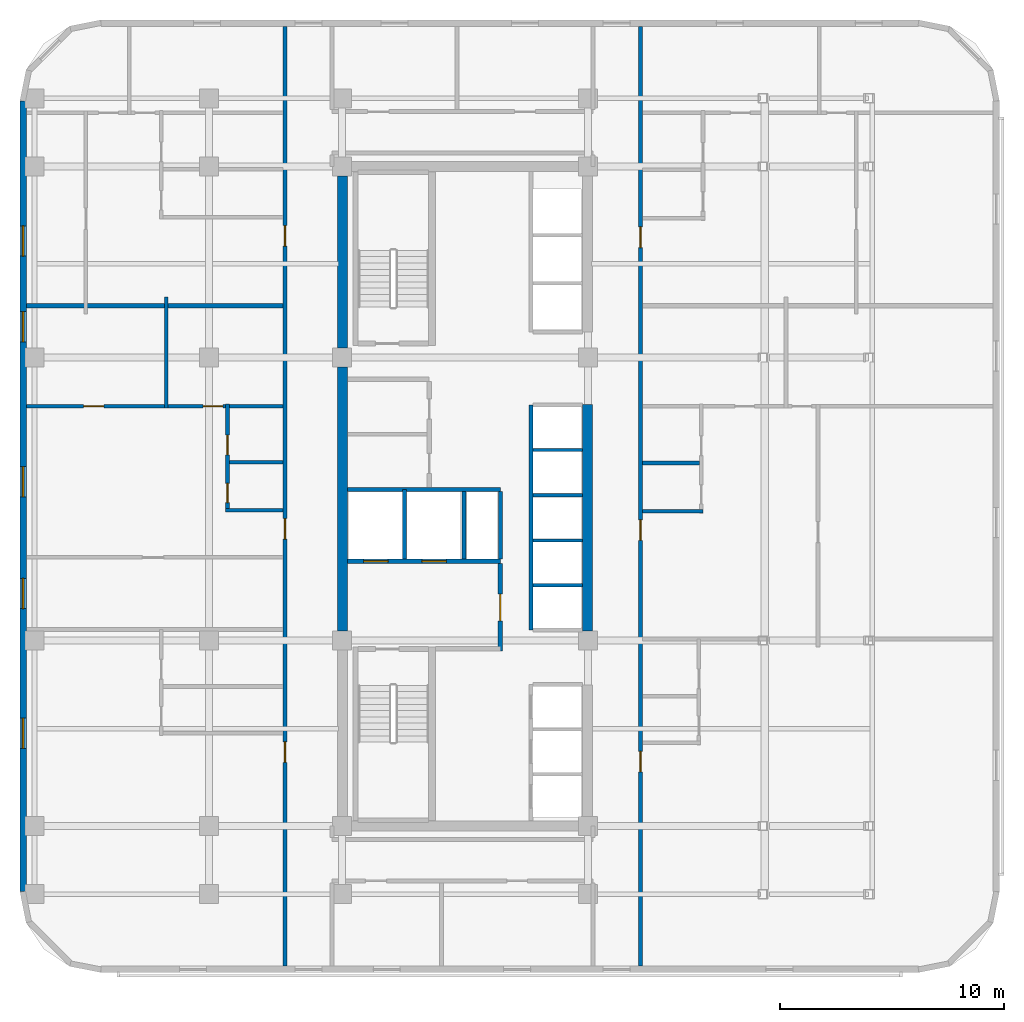
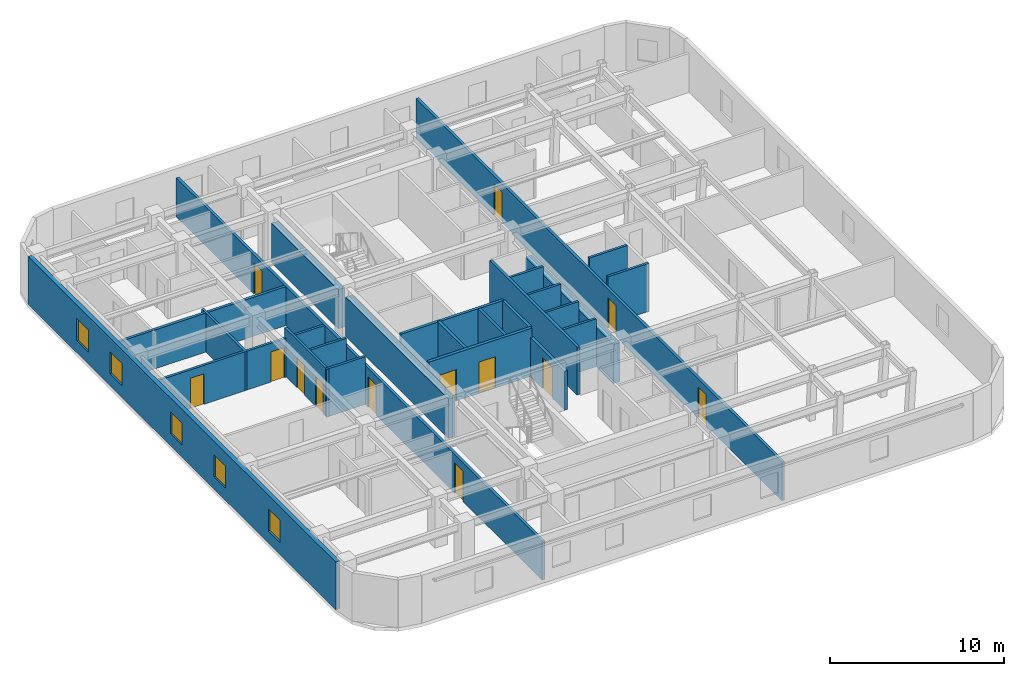
# One storey, part 4 of 11: 25 walls, 13 doors, 5 windows, 18 openings.
"""IFC4 building model written with IfcOpenShell, lengths in metres."""

from ifc_helpers import new_model, si_unit, direction, frame, frame_2d, origin, place, context, subcontext, project, spatial, rectangle, extrude, material, layer, layer_set, type_object, element, fill, save


model = new_model("IFC4")

# Units and contexts
model_context = context("Model", 3, precision=1e-05, world=origin(), true_north=direction((0.0, 1.0)))
body_context = subcontext(model_context, "Body", "Model", "MODEL_VIEW")
ifc_project = project(units=[si_unit("LENGTHUNIT", "METRE"), si_unit("AREAUNIT", "SQUARE_METRE"), si_unit("VOLUMEUNIT", "CUBIC_METRE"), si_unit("PLANEANGLEUNIT", "RADIAN"), si_unit("MASSUNIT", "GRAM", prefix="KILO")], contexts=[model_context])

# Site, building, storey
site_placement = place(None, origin())
site = spatial("IfcSite", under=ifc_project, at=site_placement, CompositionType="ELEMENT")
building_placement = place(site_placement, origin())
building = spatial("IfcBuilding", under=site, at=building_placement, Name="Ochreholt Gables", CompositionType="ELEMENT")
storey_placement = place(building_placement, frame((0.0, 0.0, 87.60009765625)))
storey = spatial("IfcBuildingStorey", under=building, at=storey_placement, Name="L22", CompositionType="ELEMENT", Elevation=87.60009765625)

# Walls
ifc_material_1 = material(Name="Concrete 60 MPa", Category="concrete")
ifc_layer_1 = layer(ifc_material_1, 0.449951171875, Name="Concrete 60 MPa")
ifc_layer_set_1 = layer_set([ifc_layer_1], Name="Concrete 60 MPa")
wall_type_1 = type_object("IfcWallType", Name="WALL-CSW-450", PredefinedType="SHEAR", material=ifc_layer_set_1)
wall_1_placement = place(storey_placement, frame((24.22509765625, 17.97509765625, 0.0), z_axis=(0.0, 0.0, 1.0), x_axis=(0.0, 1.0, 0.0)))
element("IfcWall", 1, at=wall_1_placement, inside=storey, type_object=wall_type_1, Name="L22 Core West Shear Wall WM", PredefinedType="SHEAR", context=body_context, shape_type="SweptSolid", body=[
    extrude(rectangle(XDim=11.7998046875, YDim=0.449951171875, at=frame_2d((5.89990234375, 0.0))), origin(), (0.0, 0.0, 1.0), 2.7490234375),
])
wall_2_placement = place(storey_placement, frame((24.22509765625, 30.625, 0.0), z_axis=(0.0, 0.0, 1.0), x_axis=(0.0, 1.0, 0.0)))
element("IfcWall", 2, at=wall_2_placement, inside=storey, type_object=wall_type_1, Name="L22 Core West Shear Wall WN", PredefinedType="SHEAR", context=body_context, shape_type="SweptSolid", body=[
    extrude(rectangle(XDim=7.699951171875, YDim=0.449951171875, at=frame_2d((3.85009765625, 0.0))), origin(), (0.0, 0.0, 1.0), 2.7490234375),
])
wall_3_placement = place(storey_placement, frame((35.175048828125, 17.97509765625, 0.0), z_axis=(0.0, 0.0, 1.0), x_axis=(0.0, 1.0, 0.0)))
element("IfcWall", 3, at=wall_3_placement, inside=storey, type_object=wall_type_1, Name="L22 Core Central-East Shear Wall", PredefinedType="SHEAR", context=body_context, shape_type="SweptSolid", body=[
    extrude(rectangle(XDim=10.125, YDim=0.449951171875, at=frame_2d((5.0625, 0.0))), origin(), (0.0, 0.0, 1.0), 2.7490234375),
])

# Wall, openings, windows
ifc_material_2 = material(Name="Precast concrete 40 MPa", Category="concrete")
ifc_layer_2 = layer(ifc_material_2, 0.280029296875, Name="Precast concrete 40 MPa")
ifc_layer_set_2 = layer_set([ifc_layer_2], Name="Precast concrete 40 MPa")
wall_type_2 = type_object("IfcWallType", Name="WALL-EXT-280", PredefinedType="SOLIDWALL", material=ifc_layer_set_2)
wall_4_placement = place(storey_placement, frame((9.93994140625, 41.679931640625, 0.0), z_axis=(0.0, 0.0, 1.0), x_axis=(0.0, -1.0, 0.0)))
wall_4 = element("IfcWall", 4, at=wall_4_placement, inside=storey, type_object=wall_type_2, Name="L22 West Exterior Wall", PredefinedType="SOLIDWALL", context=body_context, shape_type="SweptSolid", body=[
    extrude(rectangle(XDim=35.35986328125, YDim=0.280029296875, at=frame_2d((17.679931640625, 0.0))), origin(), (0.0, 0.0, 1.0), 3.35986328125),
])
opening_1_placement = place(wall_4_placement, frame((27.60498046875, 0.0, 0.85009765625)))
opening_1 = element("IfcOpeningElement", 5, at=opening_1_placement, cuts=wall_4, Name="Opening WN-8", PredefinedType="OPENING", context=body_context, shape_type="SweptSolid", body=[
    extrude(rectangle(XDim=1.35009765625, YDim=1.550048828125, at=frame_2d((0.675048828125, 0.77490234375))), frame((0.0, 0.14990234375, 0.0), z_axis=(0.0, -1.0, 0.0), x_axis=(1.0, 0.0, 0.0)), (0.0, 0.0, 1.0), 0.300048828125),
])
opening_2_placement = place(wall_4_placement, frame((21.35595703125, 0.0, 0.85009765625)))
opening_2 = element("IfcOpeningElement", 6, at=opening_2_placement, cuts=wall_4, Name="Opening WN-8", PredefinedType="OPENING", context=body_context, shape_type="SweptSolid", body=[
    extrude(rectangle(XDim=1.35009765625, YDim=1.550048828125, at=frame_2d((0.675048828125, 0.77490234375))), frame((0.0, 0.14990234375, 0.0), z_axis=(0.0, -1.0, 0.0), x_axis=(1.0, 0.0, 0.0)), (0.0, 0.0, 1.0), 0.300048828125),
])
opening_3_placement = place(wall_4_placement, frame((16.35888671875, 0.0, 0.85009765625)))
opening_3 = element("IfcOpeningElement", 7, at=opening_3_placement, cuts=wall_4, Name="Opening WN-8", PredefinedType="OPENING", context=body_context, shape_type="SweptSolid", body=[
    extrude(rectangle(XDim=1.35009765625, YDim=1.550048828125, at=frame_2d((0.675048828125, 0.77490234375))), frame((0.0, 0.14990234375, 0.0), z_axis=(0.0, -1.0, 0.0), x_axis=(1.0, 0.0, 0.0)), (0.0, 0.0, 1.0), 0.300048828125),
])
opening_4_placement = place(wall_4_placement, frame((9.425048828125, 0.0, 0.85009765625)))
opening_4 = element("IfcOpeningElement", 8, at=opening_4_placement, cuts=wall_4, Name="Opening WN-8", PredefinedType="OPENING", context=body_context, shape_type="SweptSolid", body=[
    extrude(rectangle(XDim=1.35009765625, YDim=1.550048828125, at=frame_2d((0.675048828125, 0.77490234375))), frame((0.0, 0.14990234375, 0.0), z_axis=(0.0, -1.0, 0.0), x_axis=(1.0, 0.0, 0.0)), (0.0, 0.0, 1.0), 0.300048828125),
])
opening_5_placement = place(wall_4_placement, frame((5.590087890625, 0.0, 0.85009765625)))
opening_5 = element("IfcOpeningElement", 9, at=opening_5_placement, cuts=wall_4, Name="Opening WN-8", PredefinedType="OPENING", context=body_context, shape_type="SweptSolid", body=[
    extrude(rectangle(XDim=1.35009765625, YDim=1.550048828125, at=frame_2d((0.675048828125, 0.77490234375))), frame((0.0, 0.14990234375, 0.0), z_axis=(0.0, -1.0, 0.0), x_axis=(1.0, 0.0, 0.0)), (0.0, 0.0, 1.0), 0.300048828125),
])
ifc_material_3 = material(Name="Triple-Glazed Thermally Broken Aluminium Window", Category="aluminium")
window_type = type_object("IfcWindowType", Name="WIN-RES-1350", PartitioningType="SINGLE_PANEL", PredefinedType="WINDOW", material=ifc_material_3)
window_1_placement = place(opening_1_placement, origin())
window_1 = element("IfcWindow", 10, at=window_1_placement, inside=storey, type_object=window_type, Name="L22 Window W-EXT-W-L22-1", OverallHeight=1.550048828125, OverallWidth=1.35009765625, PartitioningType="SINGLE_PANEL", PredefinedType="WINDOW", context=body_context, shape_type="SweptSolid", body=[
    extrude(rectangle(XDim=1.35009765625, YDim=1.550048828125, at=frame_2d((0.675048828125, 0.77490234375))), frame((0.0, 0.030029296875, 0.0), z_axis=(0.0, -1.0, 0.0), x_axis=(1.0, 0.0, 0.0)), (0.0, 0.0, 1.0), 0.06005859375),
])
fill(opening_1, window_1)
window_2_placement = place(opening_2_placement, origin())
window_2 = element("IfcWindow", 11, at=window_2_placement, inside=storey, type_object=window_type, Name="L22 Window W-EXT-W-L22-2", OverallHeight=1.550048828125, OverallWidth=1.35009765625, PartitioningType="SINGLE_PANEL", PredefinedType="WINDOW", context=body_context, shape_type="SweptSolid", body=[
    extrude(rectangle(XDim=1.35009765625, YDim=1.550048828125, at=frame_2d((0.675048828125, 0.77490234375))), frame((0.0, 0.030029296875, 0.0), z_axis=(0.0, -1.0, 0.0), x_axis=(1.0, 0.0, 0.0)), (0.0, 0.0, 1.0), 0.06005859375),
])
fill(opening_2, window_2)
window_3_placement = place(opening_3_placement, origin())
window_3 = element("IfcWindow", 12, at=window_3_placement, inside=storey, type_object=window_type, Name="L22 Window W-EXT-W-L22-3", OverallHeight=1.550048828125, OverallWidth=1.35009765625, PartitioningType="SINGLE_PANEL", PredefinedType="WINDOW", context=body_context, shape_type="SweptSolid", body=[
    extrude(rectangle(XDim=1.35009765625, YDim=1.550048828125, at=frame_2d((0.675048828125, 0.77490234375))), frame((0.0, 0.030029296875, 0.0), z_axis=(0.0, -1.0, 0.0), x_axis=(1.0, 0.0, 0.0)), (0.0, 0.0, 1.0), 0.06005859375),
])
fill(opening_3, window_3)
window_4_placement = place(opening_4_placement, origin())
window_4 = element("IfcWindow", 13, at=window_4_placement, inside=storey, type_object=window_type, Name="L22 Window W-EXT-W-L22-4", OverallHeight=1.550048828125, OverallWidth=1.35009765625, PartitioningType="SINGLE_PANEL", PredefinedType="WINDOW", context=body_context, shape_type="SweptSolid", body=[
    extrude(rectangle(XDim=1.35009765625, YDim=1.550048828125, at=frame_2d((0.675048828125, 0.77490234375))), frame((0.0, 0.030029296875, 0.0), z_axis=(0.0, -1.0, 0.0), x_axis=(1.0, 0.0, 0.0)), (0.0, 0.0, 1.0), 0.06005859375),
])
fill(opening_4, window_4)
window_5_placement = place(opening_5_placement, origin())
window_5 = element("IfcWindow", 14, at=window_5_placement, inside=storey, type_object=window_type, Name="L22 Window W-EXT-W-L22-5", OverallHeight=1.550048828125, OverallWidth=1.35009765625, PartitioningType="SINGLE_PANEL", PredefinedType="WINDOW", context=body_context, shape_type="SweptSolid", body=[
    extrude(rectangle(XDim=1.35009765625, YDim=1.550048828125, at=frame_2d((0.675048828125, 0.77490234375))), frame((0.0, 0.030029296875, 0.0), z_axis=(0.0, -1.0, 0.0), x_axis=(1.0, 0.0, 0.0)), (0.0, 0.0, 1.0), 0.06005859375),
])
fill(opening_5, window_5)

# Wall, openings, doors
ifc_material_4 = material(Name="Concrete 40 MPa", Category="concrete")
ifc_layer_3 = layer(ifc_material_4, 0.199951171875, Name="Concrete 40 MPa")
ifc_layer_set_3 = layer_set([ifc_layer_3], Name="Concrete 40 MPa")
wall_type_3 = type_object("IfcWallType", Name="WALL-INT-CF200", PredefinedType="STANDARD", material=ifc_layer_set_3)
wall_5_placement = place(storey_placement, frame((24.449951171875, 21.090087890625, 0.0), z_axis=(0.0, 0.0, 1.0), x_axis=(1.0, 0.0, 0.0)))
wall_5 = element("IfcWall", 15, at=wall_5_placement, inside=storey, type_object=wall_type_3, Name="L22 Interior Wall WI-FFN-L22", PredefinedType="STANDARD", context=body_context, shape_type="SweptSolid", body=[
    extrude(rectangle(XDim=6.830078125, YDim=0.199951171875, at=frame_2d((3.4150390625, 0.0))), origin(), (0.0, 0.0, 1.0), 3.35986328125),
])
opening_6_placement = place(wall_5_placement, frame((0.719970703125, 0.0, 0.0)))
opening_6 = element("IfcOpeningElement", 16, at=opening_6_placement, cuts=wall_5, Name="Opening LD-FF", PredefinedType="OPENING", context=body_context, shape_type="SweptSolid", body=[
    extrude(rectangle(XDim=1.10009765625, YDim=2.199951171875, at=frame_2d((0.550048828125, 1.10009765625))), frame((0.0, 0.10986328125, 0.0), z_axis=(0.0, -1.0, 0.0), x_axis=(1.0, 0.0, 0.0)), (0.0, 0.0, 1.0), 0.219970703125),
])
opening_7_placement = place(wall_5_placement, frame((3.320068359375, 0.0, 0.0)))
opening_7 = element("IfcOpeningElement", 17, at=opening_7_placement, cuts=wall_5, Name="Opening LD-FF", PredefinedType="OPENING", context=body_context, shape_type="SweptSolid", body=[
    extrude(rectangle(XDim=1.10009765625, YDim=2.199951171875, at=frame_2d((0.550048828125, 1.10009765625))), frame((0.0, 0.10986328125, 0.0), z_axis=(0.0, -1.0, 0.0), x_axis=(1.0, 0.0, 0.0)), (0.0, 0.0, 1.0), 0.219970703125),
])
ifc_material_5 = material(Name="Stainless Steel", Category="steel")
door_type_1 = type_object("IfcDoorType", Name="DR-LFT-FF1100", OperationType="NOTDEFINED", PredefinedType="DOOR", material=ifc_material_5)
door_1_placement = place(opening_6_placement, origin())
door_1 = element("IfcDoor", 18, at=door_1_placement, inside=storey, type_object=door_type_1, Name="L22 Door LD-FF1-L22", OperationType="SLIDING_TO_LEFT", OverallHeight=2.199951171875, OverallWidth=1.10009765625, PredefinedType="DOOR", context=body_context, shape_type="SweptSolid", body=[
    extrude(rectangle(XDim=1.10009765625, YDim=2.199951171875, at=frame_2d((0.550048828125, 1.10009765625))), frame((0.0, 0.02490234375, 0.0), z_axis=(0.0, -1.0, 0.0), x_axis=(1.0, 0.0, 0.0)), (0.0, 0.0, 1.0), 0.050048828125),
])
fill(opening_6, door_1)
door_2_placement = place(opening_7_placement, origin())
door_2 = element("IfcDoor", 19, at=door_2_placement, inside=storey, type_object=door_type_1, Name="L22 Door LD-FF2-L22", OperationType="SLIDING_TO_LEFT", OverallHeight=2.199951171875, OverallWidth=1.10009765625, PredefinedType="DOOR", context=body_context, shape_type="SweptSolid", body=[
    extrude(rectangle(XDim=1.10009765625, YDim=2.199951171875, at=frame_2d((0.550048828125, 1.10009765625))), frame((0.0, 0.02490234375, 0.0), z_axis=(0.0, -1.0, 0.0), x_axis=(1.0, 0.0, 0.0)), (0.0, 0.0, 1.0), 0.050048828125),
])
fill(opening_7, door_2)

# Wall, opening, door
wall_6_placement = place(storey_placement, frame((31.280029296875, 17.070068359375, 0.0), z_axis=(0.0, 0.0, 1.0), x_axis=(0.0, 1.0, 0.0)))
wall_6 = element("IfcWall", 20, at=wall_6_placement, inside=storey, type_object=wall_type_3, Name="L22 Interior Wall WI-FFE-L22", PredefinedType="STANDARD", context=body_context, shape_type="SweptSolid", body=[
    extrude(rectangle(XDim=3.919921875, YDim=0.199951171875, at=frame_2d((1.9599609375, 0.0))), origin(), (0.0, 0.0, 1.0), 2.73095703125),
])
opening_8_placement = place(wall_6_placement, frame((1.35009765625, 0.0, 0.0)))
opening_8 = element("IfcOpeningElement", 21, at=opening_8_placement, cuts=wall_6, Name="Opening D-FFL", PredefinedType="OPENING", context=body_context, shape_type="SweptSolid", body=[
    extrude(rectangle(XDim=1.199951171875, YDim=2.14990234375, at=frame_2d((0.60009765625, 1.074951171875))), frame((0.0, 0.10986328125, 0.0), z_axis=(0.0, -1.0, 0.0), x_axis=(1.0, 0.0, 0.0)), (0.0, 0.0, 1.0), 0.219970703125),
])
ifc_material_6 = material(Name="Hollow Metal Steel", Category="steel")
door_type_2 = type_object("IfcDoorType", Name="DR-INT-FFL1200", OperationType="NOTDEFINED", PredefinedType="DOOR", material=ifc_material_6)
door_3_placement = place(opening_8_placement, origin())
door_3 = element("IfcDoor", 22, at=door_3_placement, inside=storey, type_object=door_type_2, Name="L22 Door D-FFL-L22", OperationType="SINGLE_SWING_LEFT", OverallHeight=2.14990234375, OverallWidth=1.199951171875, PredefinedType="DOOR", context=body_context, shape_type="SweptSolid", body=[
    extrude(rectangle(XDim=1.199951171875, YDim=2.14990234375, at=frame_2d((0.60009765625, 1.074951171875))), frame((0.0, 0.02490234375, 0.0), z_axis=(0.0, -1.0, 0.0), x_axis=(1.0, 0.0, 0.0)), (0.0, 0.0, 1.0), 0.050048828125),
])
fill(opening_8, door_3)

# Wall, openings, doors
ifc_material_7 = material(Name="Fire-Rated Gypsum Acoustic Partition", Category="gypsum")
ifc_layer_4 = layer(ifc_material_7, 0.179931640625, Name="Fire-Rated Gypsum Acoustic Partition")
ifc_layer_set_4 = layer_set([ifc_layer_4], Name="Fire-Rated Gypsum Acoustic Partition")
wall_type_4 = type_object("IfcWallType", Name="WALL-INT-CR180", PredefinedType="STANDARD", material=ifc_layer_set_4)
wall_7_placement = place(storey_placement, frame((37.550048828125, 2.97998046875, 0.0), z_axis=(0.0, 0.0, 1.0), x_axis=(0.0, 1.0, 0.0)))
wall_7 = element("IfcWall", 23, at=wall_7_placement, inside=storey, type_object=wall_type_4, Name="L22 Interior Wall WI-C1E-L22", PredefinedType="STANDARD", context=body_context, shape_type="SweptSolid", body=[
    extrude(rectangle(XDim=42.0400390625, YDim=0.179931640625, at=frame_2d((21.02001953125, 0.0))), origin(), (0.0, 0.0, 1.0), 2.73095703125),
])
opening_9_placement = place(wall_7_placement, frame((8.68994140625, 0.0, 0.0)))
opening_9 = element("IfcOpeningElement", 24, at=opening_9_placement, cuts=wall_7, Name="Opening D-UN1", PredefinedType="OPENING", context=body_context, shape_type="SweptSolid", body=[
    extrude(rectangle(XDim=0.919921875, YDim=2.14990234375, at=frame_2d((0.4599609375, 1.074951171875))), frame((0.0, 0.099853515625, 0.0), z_axis=(0.0, -1.0, 0.0), x_axis=(1.0, 0.0, 0.0)), (0.0, 0.0, 1.0), 0.199951171875),
])
opening_10_placement = place(wall_7_placement, frame((19.04296875, 0.0, 0.0)))
opening_10 = element("IfcOpeningElement", 25, at=opening_10_placement, cuts=wall_7, Name="Opening D-UN1", PredefinedType="OPENING", context=body_context, shape_type="SweptSolid", body=[
    extrude(rectangle(XDim=0.919921875, YDim=2.14990234375, at=frame_2d((0.4599609375, 1.074951171875))), frame((0.0, 0.099853515625, 0.0), z_axis=(0.0, -1.0, 0.0), x_axis=(1.0, 0.0, 0.0)), (0.0, 0.0, 1.0), 0.199951171875),
])
opening_11_placement = place(wall_7_placement, frame((32.14453125, 0.0, 0.0)))
opening_11 = element("IfcOpeningElement", 26, at=opening_11_placement, cuts=wall_7, Name="Opening D-UN1", PredefinedType="OPENING", context=body_context, shape_type="SweptSolid", body=[
    extrude(rectangle(XDim=0.919921875, YDim=2.14990234375, at=frame_2d((0.4599609375, 1.074951171875))), frame((0.0, 0.099853515625, 0.0), z_axis=(0.0, -1.0, 0.0), x_axis=(1.0, 0.0, 0.0)), (0.0, 0.0, 1.0), 0.199951171875),
])
ifc_material_8 = material(Name="Engineered Oak Timber", Category="wood")
door_type_3 = type_object("IfcDoorType", Name="DR-INT-UNT920", OperationType="NOTDEFINED", PredefinedType="DOOR", material=ifc_material_8)
door_4_placement = place(opening_9_placement, origin())
door_4 = element("IfcDoor", 27, at=door_4_placement, inside=storey, type_object=door_type_3, Name="L22 Door D-U-L22E1-ENT", OperationType="SINGLE_SWING_RIGHT", OverallHeight=2.14990234375, OverallWidth=0.919921875, PredefinedType="DOOR", context=body_context, shape_type="SweptSolid", body=[
    extrude(rectangle(XDim=0.919921875, YDim=2.14990234375, at=frame_2d((0.4599609375, 1.074951171875))), frame((0.0, 0.02490234375, 0.0), z_axis=(0.0, -1.0, 0.0), x_axis=(1.0, 0.0, 0.0)), (0.0, 0.0, 1.0), 0.050048828125),
])
fill(opening_9, door_4)
door_5_placement = place(opening_10_placement, origin())
door_5 = element("IfcDoor", 28, at=door_5_placement, inside=storey, type_object=door_type_3, Name="L22 Door D-U-L22E2-ENT", OperationType="SINGLE_SWING_LEFT", OverallHeight=2.14990234375, OverallWidth=0.919921875, PredefinedType="DOOR", context=body_context, shape_type="SweptSolid", body=[
    extrude(rectangle(XDim=0.919921875, YDim=2.14990234375, at=frame_2d((0.4599609375, 1.074951171875))), frame((0.0, 0.02490234375, 0.0), z_axis=(0.0, -1.0, 0.0), x_axis=(1.0, 0.0, 0.0)), (0.0, 0.0, 1.0), 0.050048828125),
])
fill(opening_10, door_5)
door_6_placement = place(opening_11_placement, origin())
door_6 = element("IfcDoor", 29, at=door_6_placement, inside=storey, type_object=door_type_3, Name="L22 Door D-U-L22E3-ENT", OperationType="SINGLE_SWING_RIGHT", OverallHeight=2.14990234375, OverallWidth=0.919921875, PredefinedType="DOOR", context=body_context, shape_type="SweptSolid", body=[
    extrude(rectangle(XDim=0.919921875, YDim=2.14990234375, at=frame_2d((0.4599609375, 1.074951171875))), frame((0.0, 0.02490234375, 0.0), z_axis=(0.0, -1.0, 0.0), x_axis=(1.0, 0.0, 0.0)), (0.0, 0.0, 1.0), 0.050048828125),
])
fill(opening_11, door_6)

wall_8_placement = place(storey_placement, frame((21.64990234375, 2.97998046875, 0.0), z_axis=(0.0, 0.0, 1.0), x_axis=(0.0, 1.0, 0.0)))
wall_8 = element("IfcWall", 30, at=wall_8_placement, inside=storey, type_object=wall_type_4, Name="L22 Interior Wall WI-C1W-L22", PredefinedType="STANDARD", context=body_context, shape_type="SweptSolid", body=[
    extrude(rectangle(XDim=42.0400390625, YDim=0.179931640625, at=frame_2d((21.02001953125, 0.0))), origin(), (0.0, 0.0, 1.0), 2.73095703125),
])
opening_12_placement = place(wall_8_placement, frame((9.115966796875, 0.0, 0.0)))
opening_12 = element("IfcOpeningElement", 31, at=opening_12_placement, cuts=wall_8, Name="Opening D-UN1", PredefinedType="OPENING", context=body_context, shape_type="SweptSolid", body=[
    extrude(rectangle(XDim=0.919921875, YDim=2.14990234375, at=frame_2d((0.4599609375, 1.074951171875))), frame((0.0, 0.099853515625, 0.0), z_axis=(0.0, -1.0, 0.0), x_axis=(1.0, 0.0, 0.0)), (0.0, 0.0, 1.0), 0.199951171875),
])
opening_13_placement = place(wall_8_placement, frame((19.10009765625, 0.0, 0.0)))
opening_13 = element("IfcOpeningElement", 32, at=opening_13_placement, cuts=wall_8, Name="Opening D-UN1", PredefinedType="OPENING", context=body_context, shape_type="SweptSolid", body=[
    extrude(rectangle(XDim=0.919921875, YDim=2.14990234375, at=frame_2d((0.4599609375, 1.074951171875))), frame((0.0, 0.099853515625, 0.0), z_axis=(0.0, -1.0, 0.0), x_axis=(1.0, 0.0, 0.0)), (0.0, 0.0, 1.0), 0.199951171875),
])
opening_14_placement = place(wall_8_placement, frame((32.201416015625, 0.0, 0.0)))
opening_14 = element("IfcOpeningElement", 33, at=opening_14_placement, cuts=wall_8, Name="Opening D-UN1", PredefinedType="OPENING", context=body_context, shape_type="SweptSolid", body=[
    extrude(rectangle(XDim=0.919921875, YDim=2.14990234375, at=frame_2d((0.4599609375, 1.074951171875))), frame((0.0, 0.099853515625, 0.0), z_axis=(0.0, -1.0, 0.0), x_axis=(1.0, 0.0, 0.0)), (0.0, 0.0, 1.0), 0.199951171875),
])
door_7_placement = place(opening_12_placement, origin())
door_7 = element("IfcDoor", 34, at=door_7_placement, inside=storey, type_object=door_type_3, Name="L22 Door D-U-L22W1-ENT", OperationType="SINGLE_SWING_LEFT", OverallHeight=2.14990234375, OverallWidth=0.919921875, PredefinedType="DOOR", context=body_context, shape_type="SweptSolid", body=[
    extrude(rectangle(XDim=0.919921875, YDim=2.14990234375, at=frame_2d((0.4599609375, 1.074951171875))), frame((0.0, 0.02490234375, 0.0), z_axis=(0.0, -1.0, 0.0), x_axis=(1.0, 0.0, 0.0)), (0.0, 0.0, 1.0), 0.050048828125),
])
fill(opening_12, door_7)
door_8_placement = place(opening_13_placement, origin())
door_8 = element("IfcDoor", 35, at=door_8_placement, inside=storey, type_object=door_type_3, Name="L22 Door D-U-L22W2-ENT", OperationType="SINGLE_SWING_RIGHT", OverallHeight=2.14990234375, OverallWidth=0.919921875, PredefinedType="DOOR", context=body_context, shape_type="SweptSolid", body=[
    extrude(rectangle(XDim=0.919921875, YDim=2.14990234375, at=frame_2d((0.4599609375, 1.074951171875))), frame((0.0, 0.02490234375, 0.0), z_axis=(0.0, -1.0, 0.0), x_axis=(1.0, 0.0, 0.0)), (0.0, 0.0, 1.0), 0.050048828125),
])
fill(opening_13, door_8)
door_9_placement = place(opening_14_placement, origin())
door_9 = element("IfcDoor", 36, at=door_9_placement, inside=storey, type_object=door_type_3, Name="L22 Door D-U-L22W3-ENT", OperationType="SINGLE_SWING_LEFT", OverallHeight=2.14990234375, OverallWidth=0.919921875, PredefinedType="DOOR", context=body_context, shape_type="SweptSolid", body=[
    extrude(rectangle(XDim=0.919921875, YDim=2.14990234375, at=frame_2d((0.4599609375, 1.074951171875))), frame((0.0, 0.02490234375, 0.0), z_axis=(0.0, -1.0, 0.0), x_axis=(1.0, 0.0, 0.0)), (0.0, 0.0, 1.0), 0.050048828125),
])
fill(opening_14, door_9)

# Walls
ifc_material_9 = material(Name="Double-Stud Acoustic Demising Wall", Category="gypsum")
ifc_layer_5 = layer(ifc_material_9, 0.179931640625, Name="Double-Stud Acoustic Demising Wall")
ifc_layer_set_5 = layer_set([ifc_layer_5], Name="Double-Stud Acoustic Demising Wall")
wall_type_5 = type_object("IfcWallType", Name="WALL-INT-DM180", PredefinedType="PARTITIONING", material=ifc_layer_set_5)
wall_9_placement = place(storey_placement, frame((10.080078125, 32.52001953125, 0.0), z_axis=(0.0, 0.0, 1.0), x_axis=(1.0, 0.0, 0.0)))
element("IfcWall", 37, at=wall_9_placement, inside=storey, type_object=wall_type_5, Name="L22 Interior Wall WI-UDW3-L22", PredefinedType="PARTITIONING", context=body_context, shape_type="SweptSolid", body=[
    extrude(rectangle(XDim=11.47998046875, YDim=0.179931640625, at=frame_2d((5.739990234375, 0.0))), origin(), (0.0, 0.0, 1.0), 2.73095703125),
])
ifc_material_10 = material(Name="Moisture-Resistant Plumbing Chase Wall", Category="gypsum")
ifc_layer_6 = layer(ifc_material_10, 0.159912109375, Name="Moisture-Resistant Plumbing Chase Wall")
ifc_layer_set_6 = layer_set([ifc_layer_6], Name="Moisture-Resistant Plumbing Chase Wall")
wall_type_6 = type_object("IfcWallType", Name="WALL-INT-PL160", PredefinedType="PLUMBINGWALL", material=ifc_layer_set_6)
wall_10_placement = place(storey_placement, frame((37.639892578125, 23.322998046875, 0.0), z_axis=(0.0, 0.0, 1.0), x_axis=(1.0, 0.0, 0.0)))
element("IfcWall", 38, at=wall_10_placement, inside=storey, type_object=wall_type_6, Name="L22 Interior Wall WU-L22E2-FYS", PredefinedType="PLUMBINGWALL", context=body_context, shape_type="SweptSolid", body=[
    extrude(rectangle(XDim=2.712158203125, YDim=0.159912109375, at=frame_2d((1.35595703125, 0.0))), origin(), (0.0, 0.0, 1.0), 3.35986328125),
])
wall_11_placement = place(storey_placement, frame((37.639892578125, 25.48828125, 0.0), z_axis=(0.0, 0.0, 1.0), x_axis=(1.0, 0.0, 0.0)))
element("IfcWall", 39, at=wall_11_placement, inside=storey, type_object=wall_type_6, Name="L22 Interior Wall WU-L22E2-WK", PredefinedType="PLUMBINGWALL", context=body_context, shape_type="SweptSolid", body=[
    extrude(rectangle(XDim=2.552001953125, YDim=0.159912109375, at=frame_2d((1.27587890625, 0.0))), origin(), (0.0, 0.0, 1.0), 3.35986328125),
])
wall_12_placement = place(storey_placement, frame((19.0, 23.3798828125, 0.0), z_axis=(0.0, 0.0, 1.0), x_axis=(1.0, 0.0, 0.0)))
element("IfcWall", 40, at=wall_12_placement, inside=storey, type_object=wall_type_6, Name="L22 Interior Wall WU-L22W2-FYS", PredefinedType="PLUMBINGWALL", context=body_context, shape_type="SweptSolid", body=[
    extrude(rectangle(XDim=2.56005859375, YDim=0.159912109375, at=frame_2d((1.280029296875, 0.0))), origin(), (0.0, 0.0, 1.0), 3.35986328125),
])

# Wall, openings, doors
wall_13_placement = place(storey_placement, frame((19.080078125, 23.2900390625, 0.0), z_axis=(0.0, 0.0, 1.0), x_axis=(0.0, 1.0, 0.0)))
wall_13 = element("IfcWall", 41, at=wall_13_placement, inside=storey, type_object=wall_type_6, Name="L22 Interior Wall WU-L22W2-WX", PredefinedType="PLUMBINGWALL", context=body_context, shape_type="SweptSolid", body=[
    extrude(rectangle(XDim=4.830078125, YDim=0.159912109375, at=frame_2d((2.4150390625, 0.0))), origin(), (0.0, 0.0, 1.0), 3.35986328125),
])
opening_15_placement = place(wall_13_placement, frame((0.419921875, 0.0, 0.0)))
opening_15 = element("IfcOpeningElement", 42, at=opening_15_placement, cuts=wall_13, Name="Opening D-BT1", PredefinedType="OPENING", context=body_context, shape_type="SweptSolid", body=[
    extrude(rectangle(XDim=0.860107421875, YDim=2.1201171875, at=frame_2d((0.43017578125, 1.06005859375))), frame((0.0, 0.08984375, 0.0), z_axis=(0.0, -1.0, 0.0), x_axis=(1.0, 0.0, 0.0)), (0.0, 0.0, 1.0), 0.179931640625),
])
opening_16_placement = place(wall_13_placement, frame((2.55908203125, 0.0, 0.0)))
opening_16 = element("IfcOpeningElement", 43, at=opening_16_placement, cuts=wall_13, Name="Opening D-GN2", PredefinedType="OPENING", context=body_context, shape_type="SweptSolid", body=[
    extrude(rectangle(XDim=0.8798828125, YDim=2.1201171875, at=frame_2d((0.43994140625, 1.06005859375))), frame((0.0, 0.08984375, 0.0), z_axis=(0.0, -1.0, 0.0), x_axis=(1.0, 0.0, 0.0)), (0.0, 0.0, 1.0), 0.179931640625),
])
door_type_4 = type_object("IfcDoorType", Name="DR-INT-BTH860", OperationType="NOTDEFINED", PredefinedType="DOOR", material=ifc_material_8)
door_10_placement = place(opening_15_placement, origin())
door_10 = element("IfcDoor", 44, at=door_10_placement, inside=storey, type_object=door_type_4, Name="L22 Door D-U-L22W2-BTH", OperationType="SINGLE_SWING_LEFT", OverallHeight=2.1201171875, OverallWidth=0.860107421875, PredefinedType="DOOR", context=body_context, shape_type="SweptSolid", body=[
    extrude(rectangle(XDim=0.860107421875, YDim=2.1201171875, at=frame_2d((0.43017578125, 1.06005859375))), frame((0.0, 0.02490234375, 0.0), z_axis=(0.0, -1.0, 0.0), x_axis=(1.0, 0.0, 0.0)), (0.0, 0.0, 1.0), 0.050048828125),
])
fill(opening_15, door_10)
door_type_5 = type_object("IfcDoorType", Name="DR-INT-GEN880", OperationType="NOTDEFINED", PredefinedType="DOOR", material=ifc_material_8)
door_11_placement = place(opening_16_placement, origin())
door_11 = element("IfcDoor", 45, at=door_11_placement, inside=storey, type_object=door_type_5, Name="L22 Door D-U-L22W2-KIT", OperationType="SINGLE_SWING_RIGHT", OverallHeight=2.1201171875, OverallWidth=0.8798828125, PredefinedType="DOOR", context=body_context, shape_type="SweptSolid", body=[
    extrude(rectangle(XDim=0.8798828125, YDim=2.1201171875, at=frame_2d((0.43994140625, 1.06005859375))), frame((0.0, 0.02490234375, 0.0), z_axis=(0.0, -1.0, 0.0), x_axis=(1.0, 0.0, 0.0)), (0.0, 0.0, 1.0), 0.050048828125),
])
fill(opening_16, door_11)

# Wall
wall_14_placement = place(storey_placement, frame((19.159912109375, 25.51904296875, 0.0), z_axis=(0.0, 0.0, 1.0), x_axis=(1.0, 0.0, 0.0)))
element("IfcWall", 46, at=wall_14_placement, inside=storey, type_object=wall_type_6, Name="L22 Interior Wall WU-L22W2-WK", PredefinedType="PLUMBINGWALL", context=body_context, shape_type="SweptSolid", body=[
    extrude(rectangle(XDim=2.400146484375, YDim=0.159912109375, at=frame_2d((1.2001953125, 0.0))), origin(), (0.0, 0.0, 1.0), 3.35986328125),
])

# Wall, openings, doors
ifc_material_11 = material(Name="Gypsum Acoustic Stud Partition", Category="gypsum")
ifc_layer_7 = layer(ifc_material_11, 0.159912109375, Name="Gypsum Acoustic Stud Partition")
ifc_layer_set_7 = layer_set([ifc_layer_7], Name="Gypsum Acoustic Stud Partition")
wall_type_7 = type_object("IfcWallType", Name="WALL-INT-PT160", PredefinedType="PARTITIONING", material=ifc_layer_set_7)
wall_15_placement = place(storey_placement, frame((10.080078125, 28.030029296875, 0.0), z_axis=(0.0, 0.0, 1.0), x_axis=(1.0, 0.0, 0.0)))
wall_15 = element("IfcWall", 47, at=wall_15_placement, inside=storey, type_object=wall_type_7, Name="L22 Interior Wall WU-L22W2-MN", PredefinedType="PARTITIONING", context=body_context, shape_type="SweptSolid", body=[
    extrude(rectangle(XDim=11.47998046875, YDim=0.159912109375, at=frame_2d((5.739990234375, 0.0))), origin(), (0.0, 0.0, 1.0), 2.73095703125),
])
opening_17_placement = place(wall_15_placement, frame((7.91259765625, 0.0, 0.0)))
opening_17 = element("IfcOpeningElement", 48, at=opening_17_placement, cuts=wall_15, Name="Opening D-GN2", PredefinedType="OPENING", context=body_context, shape_type="SweptSolid", body=[
    extrude(rectangle(XDim=0.8798828125, YDim=2.1201171875, at=frame_2d((0.43994140625, 1.06005859375))), frame((0.0, 0.08984375, 0.0), z_axis=(0.0, -1.0, 0.0), x_axis=(1.0, 0.0, 0.0)), (0.0, 0.0, 1.0), 0.179931640625),
])
opening_18_placement = place(wall_15_placement, frame((2.56787109375, 0.0, 0.0)))
opening_18 = element("IfcOpeningElement", 49, at=opening_18_placement, cuts=wall_15, Name="Opening D-BD1", PredefinedType="OPENING", context=body_context, shape_type="SweptSolid", body=[
    extrude(rectangle(XDim=0.89990234375, YDim=2.139892578125, at=frame_2d((0.449951171875, 1.06982421875))), frame((0.0, 0.08984375, 0.0), z_axis=(0.0, -1.0, 0.0), x_axis=(1.0, 0.0, 0.0)), (0.0, 0.0, 1.0), 0.179931640625),
])
door_type_6 = type_object("IfcDoorType", Name="DR-INT-BED900", OperationType="NOTDEFINED", PredefinedType="DOOR", material=ifc_material_8)
door_12_placement = place(opening_18_placement, origin())
door_12 = element("IfcDoor", 50, at=door_12_placement, inside=storey, type_object=door_type_6, Name="L22 Door D-U-L22W2-BD1", OperationType="SINGLE_SWING_LEFT", OverallHeight=2.139892578125, OverallWidth=0.89990234375, PredefinedType="DOOR", context=body_context, shape_type="SweptSolid", body=[
    extrude(rectangle(XDim=0.89990234375, YDim=2.139892578125, at=frame_2d((0.449951171875, 1.06982421875))), frame((0.0, 0.02490234375, 0.0), z_axis=(0.0, -1.0, 0.0), x_axis=(1.0, 0.0, 0.0)), (0.0, 0.0, 1.0), 0.050048828125),
])
fill(opening_18, door_12)
door_13_placement = place(opening_17_placement, origin())
door_13 = element("IfcDoor", 51, at=door_13_placement, inside=storey, type_object=door_type_5, Name="L22 Door D-U-L22W2-STD", OperationType="SINGLE_SWING_RIGHT", OverallHeight=2.1201171875, OverallWidth=0.8798828125, PredefinedType="DOOR", context=body_context, shape_type="SweptSolid", body=[
    extrude(rectangle(XDim=0.8798828125, YDim=2.1201171875, at=frame_2d((0.43994140625, 1.06005859375))), frame((0.0, 0.02490234375, 0.0), z_axis=(0.0, -1.0, 0.0), x_axis=(1.0, 0.0, 0.0)), (0.0, 0.0, 1.0), 0.050048828125),
])
fill(opening_17, door_13)

# Walls
wall_16_placement = place(storey_placement, frame((16.33544921875, 27.949951171875, 0.0), z_axis=(0.0, 0.0, 1.0), x_axis=(0.0, 1.0, 0.0)))
element("IfcWall", 52, at=wall_16_placement, inside=storey, type_object=wall_type_7, Name="L22 Interior Wall WU-L22W2-BSD", PredefinedType="PARTITIONING", context=body_context, shape_type="SweptSolid", body=[
    extrude(rectangle(XDim=4.9599609375, YDim=0.159912109375, at=frame_2d((2.47998046875, 0.0))), origin(), (0.0, 0.0, 1.0), 2.73095703125),
])
ifc_material_12 = material(Name="Gypsum Shaftliner and Steel Stud", Category="steel")
ifc_layer_8 = layer(ifc_material_12, 0.14990234375, Name="Gypsum Shaftliner and Steel Stud")
ifc_layer_set_8 = layer_set([ifc_layer_8], Name="Gypsum Shaftliner and Steel Stud")
wall_type_8 = type_object("IfcWallType", Name="WALL-INT-SH150", PredefinedType="STANDARD", material=ifc_layer_set_8)
for number, where, z_axis, x_axis, name in (
    (53, (32.739990234375, 20.02001953125, 0.0), (0.0, 0.0, 1.0), (1.0, 0.0, 0.0), "L22 Interior Wall WI-LFHE-DH1-L22"),
    (54, (32.739990234375, 22.02001953125, 0.0), (0.0, 0.0, 1.0), (1.0, 0.0, 0.0), "L22 Interior Wall WI-LFHE-DH2-L22"),
    (55, (32.739990234375, 24.050048828125, 0.0), (0.0, 0.0, 1.0), (1.0, 0.0, 0.0), "L22 Interior Wall WI-LFHE-DHE-L22"),
    (56, (32.739990234375, 26.070068359375, 0.0), (0.0, 0.0, 1.0), (1.0, 0.0, 0.0), "L22 Interior Wall WI-LFHE-DEX1-L22"),
):
    element("IfcWall", number, at=place(storey_placement, frame(where, z_axis=z_axis, x_axis=x_axis)), inside=storey, type_object=wall_type_8, Name=name, PredefinedType="STANDARD", context=body_context, shape_type="SweptSolid", body=[
        extrude(rectangle(XDim=2.2099609375, YDim=0.14990234375, at=frame_2d((1.10498046875, 0.0))), origin(), (0.0, 0.0, 1.0), 3.35986328125),
    ])
ifc_layer_9 = layer(ifc_material_12, 0.179931640625, Name="Gypsum Shaftliner and Steel Stud")
ifc_layer_set_9 = layer_set([ifc_layer_9], Name="Gypsum Shaftliner and Steel Stud")
wall_type_9 = type_object("IfcWallType", Name="WALL-INT-SH180", PredefinedType="STANDARD", material=ifc_layer_set_9)
wall_17_placement = place(storey_placement, frame((27.0, 21.18994140625, 0.0), z_axis=(0.0, 0.0, 1.0), x_axis=(0.0, 1.0, 0.0)))
element("IfcWall", 57, at=wall_17_placement, inside=storey, type_object=wall_type_9, Name="L22 Interior Wall WI-FFDIV-L22", PredefinedType="STANDARD", context=body_context, shape_type="SweptSolid", body=[
    extrude(rectangle(XDim=3.110107421875, YDim=0.179931640625, at=frame_2d((1.55517578125, 0.0))), origin(), (0.0, 0.0, 1.0), 3.35986328125),
])
wall_18_placement = place(storey_placement, frame((24.449951171875, 24.300048828125, 0.0), z_axis=(0.0, 0.0, 1.0), x_axis=(1.0, 0.0, 0.0)))
element("IfcWall", 58, at=wall_18_placement, inside=storey, type_object=wall_type_9, Name="L22 Interior Wall WI-FFBK-L22", PredefinedType="STANDARD", context=body_context, shape_type="SweptSolid", body=[
    extrude(rectangle(XDim=6.830078125, YDim=0.179931640625, at=frame_2d((3.4150390625, 0.0))), origin(), (0.0, 0.0, 1.0), 3.35986328125),
])
for number, where, z_axis, x_axis, name in (
    (59, (29.64990234375, 21.18994140625, 0.0), (0.0, 0.0, 1.0), (0.0, 1.0, 0.0), "L22 Interior Wall WI-FFSH-L22"),
    (60, (31.280029296875, 21.18994140625, 0.0), (0.0, 0.0, 1.0), (0.0, 1.0, 0.0), "L22 Interior Wall WI-RSE-L22"),
):
    element("IfcWall", number, at=place(storey_placement, frame(where, z_axis=z_axis, x_axis=x_axis)), inside=storey, type_object=wall_type_9, Name=name, PredefinedType="STANDARD", context=body_context, shape_type="SweptSolid", body=[
        extrude(rectangle(XDim=3.02001953125, YDim=0.179931640625, at=frame_2d((1.510009765625, 0.0))), origin(), (0.0, 0.0, 1.0), 3.35986328125),
    ])
wall_19_placement = place(storey_placement, frame((32.64990234375, 18.02001953125, 0.0), z_axis=(0.0, 0.0, 1.0), x_axis=(0.0, 1.0, 0.0)))
element("IfcWall", 61, at=wall_19_placement, inside=storey, type_object=wall_type_9, Name="L22 Interior Wall WI-LFHE-FR-L22", PredefinedType="STANDARD", context=body_context, shape_type="SweptSolid", body=[
    extrude(rectangle(XDim=10.06005859375, YDim=0.179931640625, at=frame_2d((5.030029296875, 0.0))), origin(), (0.0, 0.0, 1.0), 3.35986328125),
])

save(model, "model.ifc")
